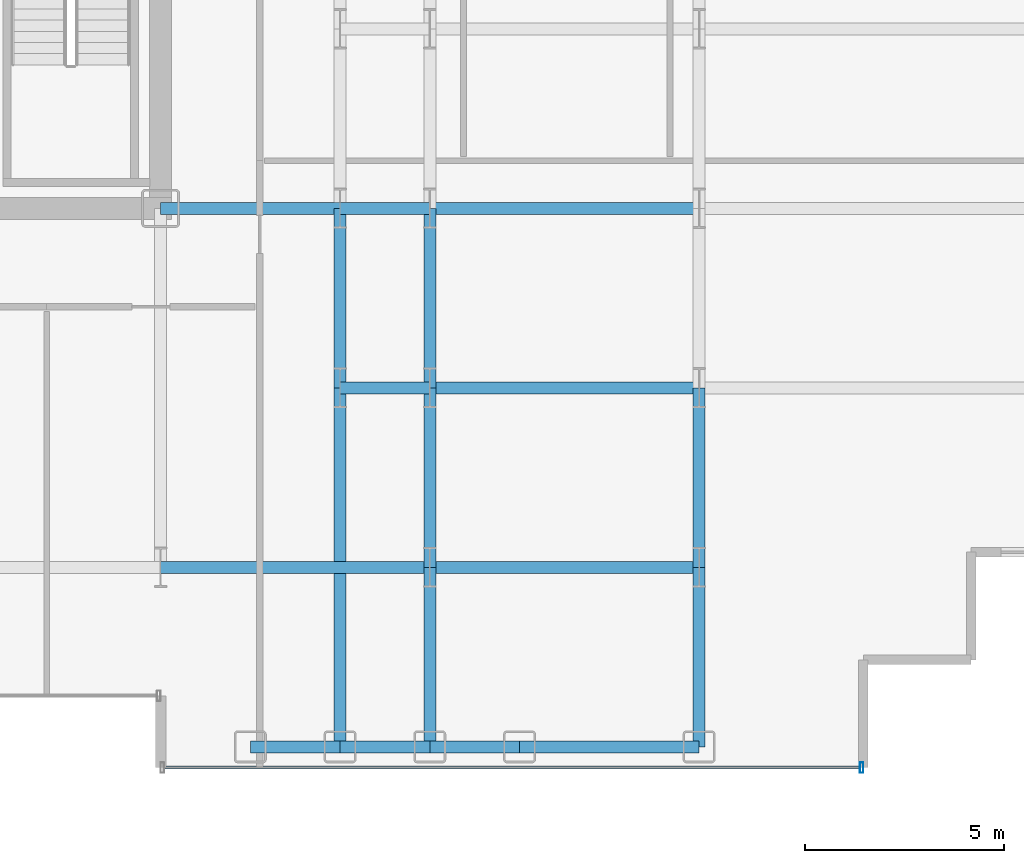
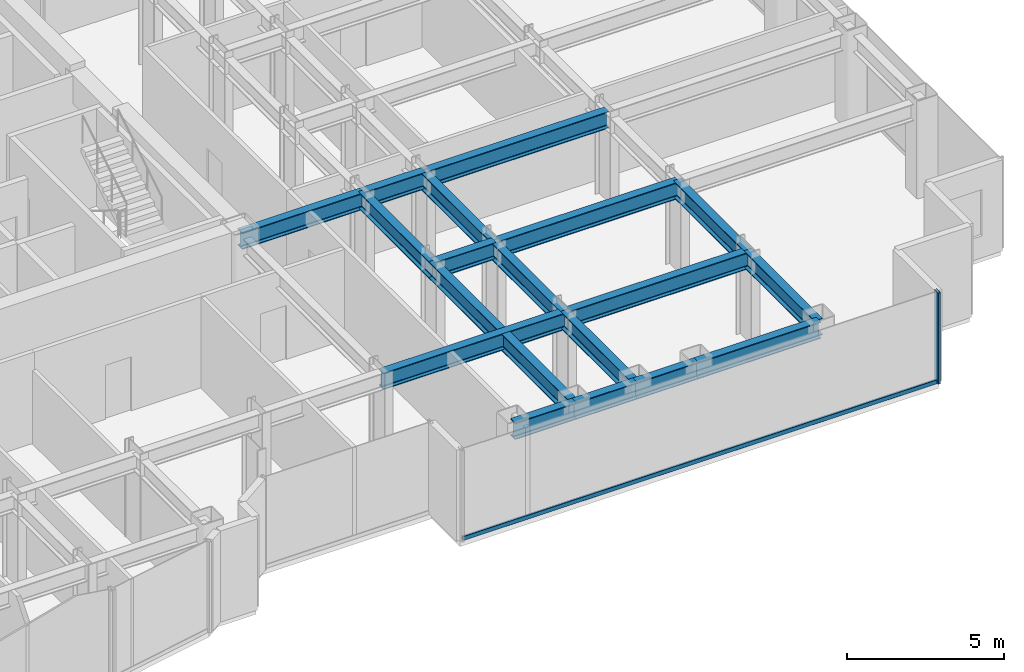
# One storey, part 7 of 26: 18 beams, 2 members, 1 element without a shape of its own.
"""IFC4 building model written with IfcOpenShell, lengths in metres."""

from ifc_helpers import new_model, si_unit, direction, frame, origin, origin_2d, place, context, subcontext, project, spatial, hollow_rectangle, i_section, extrude, source, transform, mapped, material, layer, layer_set, material_profile, profile_set, type_object, element, aggregate, save


model = new_model("IFC4")

# Units and contexts
model_context = context("Model", 3, precision=1e-05, world=origin(), true_north=direction((0.0, 1.0)))
body_context = subcontext(model_context, "Body", "Model", "MODEL_VIEW")
ifc_project = project(units=[si_unit("LENGTHUNIT", "METRE"), si_unit("AREAUNIT", "SQUARE_METRE"), si_unit("VOLUMEUNIT", "CUBIC_METRE"), si_unit("PLANEANGLEUNIT", "RADIAN"), si_unit("MASSUNIT", "GRAM", prefix="KILO")], contexts=[model_context])

# Site, building, storey
site_placement = place(None, origin())
site = spatial("IfcSite", under=ifc_project, at=site_placement, CompositionType="ELEMENT")
building_placement = place(site_placement, origin())
building = spatial("IfcBuilding", under=site, at=building_placement, Name="Nefas-Gora Pilgrimage Tower", CompositionType="ELEMENT")
storey_placement = place(building_placement, frame((0.0, 0.0, 117.39990234375)))
storey = spatial("IfcBuildingStorey", under=building, at=storey_placement, Name="L28", CompositionType="ELEMENT", Elevation=117.39990234375)

# Beams
ifc_material_1 = material(Name="Steel S355", Category="steel")
ifc_material_profile_1 = material_profile(ifc_material_1, i_section(OverallWidth=0.300048828125, OverallDepth=0.64990234375, WebThickness=0.01611328125, FlangeThickness=0.031005859375, FilletRadius=0.027099609375, at=origin_2d()), Name="HEB 650")
ifc_profile_set_1 = profile_set([ifc_material_profile_1], Name="Steel S355")
beam_type_1 = type_object("IfcBeamType", Name="BM-SPN-HEB500", PredefinedType="SPANDREL", material=ifc_profile_set_1)
shared_shape_1 = source(origin(), body_context, "Body", "SweptSolid", [
    extrude(i_section(OverallWidth=0.300048828125, OverallDepth=0.64990234375, WebThickness=0.01611328125, FlangeThickness=0.031005859375, FilletRadius=0.027099609375, at=origin_2d()), origin(), (0.0, 0.0, 1.0), 4.5),
])
beam_1_placement = place(storey_placement, frame((20.25, -22.5, 3.22509765625), z_axis=(1.0, 0.0, 0.0), x_axis=(0.0, 1.0, 0.0)))
element("IfcBeam", 1, at=beam_1_placement, inside=storey, type_object=beam_type_1, Name="L28 SP-02 beam", PredefinedType="SPANDREL", context=body_context, shape_type="MappedRepresentation", body=[
    mapped(shared_shape_1, transform((0.0, 0.0, 0.0), x_axis=(1.0, 0.0, 0.0), y_axis=(0.0, 1.0, 0.0), z_axis=(0.0, 0.0, 1.0), scale=1.0)),
])
ifc_material_profile_2 = material_profile(ifc_material_1, i_section(OverallWidth=0.300048828125, OverallDepth=0.64990234375, WebThickness=0.01611328125, FlangeThickness=0.031005859375, FilletRadius=0.027099609375, at=origin_2d()), Name="HEB 650")
ifc_profile_set_2 = profile_set([ifc_material_profile_2], Name="Steel S355")
beam_type_2 = type_object("IfcBeamType", Name="BM-GIR-HEB650", PredefinedType="BEAM", material=ifc_profile_set_2)
shared_shape_2 = source(origin(), body_context, "Body", "SweptSolid", [
    extrude(i_section(OverallWidth=0.300048828125, OverallDepth=0.64990234375, WebThickness=0.01611328125, FlangeThickness=0.031005859375, FilletRadius=0.027099609375, at=origin_2d()), origin(), (0.0, 0.0, 1.0), 9.0),
])
beam_2_placement = place(storey_placement, frame((15.75, -22.5, 3.22509765625), z_axis=(0.0, 1.0, 0.0), x_axis=(-1.0, 0.0, 0.0)))
element("IfcBeam", 2, at=beam_2_placement, inside=storey, type_object=beam_type_2, Name="L28 G-03 beam", PredefinedType="BEAM", context=body_context, shape_type="MappedRepresentation", body=[
    mapped(shared_shape_2, transform((0.0, 0.0, 0.0), x_axis=(1.0, 0.0, 0.0), y_axis=(0.0, 1.0, 0.0), z_axis=(0.0, 0.0, 1.0), scale=1.0)),
])
shared_shape_3 = source(origin(), body_context, "Body", "SweptSolid", [
    extrude(i_section(OverallWidth=0.300048828125, OverallDepth=0.64990234375, WebThickness=0.01611328125, FlangeThickness=0.031005859375, FilletRadius=0.027099609375, at=origin_2d()), origin(), (0.0, 0.0, 1.0), 4.5),
])
for number, where, z_axis, x_axis, name in (
    (3, (11.25, -9.0, 3.22509765625), (1.0, 0.0, 0.0), (0.0, 1.0, 0.0), "L28 G-03 beam"),
    (4, (15.75, -13.5, 3.22509765625), (0.0, 1.0, 0.0), (-1.0, 0.0, 0.0), "L28 G-03 beam"),
    (5, (18.0, -22.5, 3.22509765625), (0.0, 1.0, 0.0), (-1.0, 0.0, 0.0), "L28 G-03 beam"),
    (6, (18.0, -18.0, 3.22509765625), (0.0, 1.0, 0.0), (-1.0, 0.0, 0.0), "L28 G-03 beam"),
    (7, (18.0, -13.5, 3.22509765625), (0.0, 1.0, 0.0), (-1.0, 0.0, 0.0), "L28 G-03 beam"),
    (8, (24.75, -22.5, 3.22509765625), (0.0, 1.0, 0.0), (-1.0, 0.0, 0.0), "L28 G-03 beam"),
    (9, (24.75, -18.0, 3.22509765625), (0.0, 1.0, 0.0), (-1.0, 0.0, 0.0), "L28 G-03 beam"),
):
    element("IfcBeam", number, at=place(storey_placement, frame(where, z_axis=z_axis, x_axis=x_axis)), inside=storey, type_object=beam_type_2, Name=name, PredefinedType="BEAM", context=body_context, shape_type="MappedRepresentation", body=[
        mapped(shared_shape_3, transform((0.0, 0.0, 0.0), x_axis=(1.0, 0.0, 0.0), y_axis=(0.0, 1.0, 0.0), z_axis=(0.0, 0.0, 1.0), scale=1.0)),
    ])
shared_shape_4 = source(origin(), body_context, "Body", "SweptSolid", [
    extrude(i_section(OverallWidth=0.300048828125, OverallDepth=0.64990234375, WebThickness=0.01611328125, FlangeThickness=0.031005859375, FilletRadius=0.027099609375, at=origin_2d()), origin(), (0.0, 0.0, 1.0), 6.75),
])
for number, where, z_axis, x_axis, name in (
    (10, (11.25, -18.0, 3.22509765625), (1.0, 0.0, 0.0), (0.0, 1.0, 0.0), "L28 G-03 beam"),
    (11, (18.0, -18.0, 3.22509765625), (1.0, 0.0, 0.0), (0.0, 1.0, 0.0), "L28 G-03 beam"),
    (12, (18.0, -13.5, 3.22509765625), (1.0, 0.0, 0.0), (0.0, 1.0, 0.0), "L28 G-03 beam"),
    (13, (18.0, -9.0, 3.22509765625), (1.0, 0.0, 0.0), (0.0, 1.0, 0.0), "L28 G-03 beam"),
):
    element("IfcBeam", number, at=place(storey_placement, frame(where, z_axis=z_axis, x_axis=x_axis)), inside=storey, type_object=beam_type_2, Name=name, PredefinedType="BEAM", context=body_context, shape_type="MappedRepresentation", body=[
        mapped(shared_shape_4, transform((0.0, 0.0, 0.0), x_axis=(1.0, 0.0, 0.0), y_axis=(0.0, 1.0, 0.0), z_axis=(0.0, 0.0, 1.0), scale=1.0)),
    ])
shared_shape_5 = source(origin(), body_context, "Body", "SweptSolid", [
    extrude(i_section(OverallWidth=0.300048828125, OverallDepth=0.64990234375, WebThickness=0.01611328125, FlangeThickness=0.031005859375, FilletRadius=0.027099609375, at=origin_2d()), origin(), (0.0, 0.0, 1.0), 2.25),
])
for number, where, z_axis, x_axis, name in (
    (14, (13.5, -22.5, 3.22509765625), (1.0, 0.0, 0.0), (0.0, 1.0, 0.0), "L28 SP-02 beam"),
    (15, (15.75, -22.5, 3.22509765625), (1.0, 0.0, 0.0), (0.0, 1.0, 0.0), "L28 SP-02 beam"),
    (16, (18.0, -22.5, 3.22509765625), (1.0, 0.0, 0.0), (0.0, 1.0, 0.0), "L28 SP-02 beam"),
):
    element("IfcBeam", number, at=place(storey_placement, frame(where, z_axis=z_axis, x_axis=x_axis)), inside=storey, type_object=beam_type_1, Name=name, PredefinedType="SPANDREL", context=body_context, shape_type="MappedRepresentation", body=[
        mapped(shared_shape_5, transform((0.0, 0.0, 0.0), x_axis=(1.0, 0.0, 0.0), y_axis=(0.0, 1.0, 0.0), z_axis=(0.0, 0.0, 1.0), scale=1.0)),
    ])
shared_shape_6 = source(origin(), body_context, "Body", "SweptSolid", [
    extrude(i_section(OverallWidth=0.300048828125, OverallDepth=0.64990234375, WebThickness=0.01611328125, FlangeThickness=0.031005859375, FilletRadius=0.027099609375, at=origin_2d()), origin(), (0.0, 0.0, 1.0), 2.25),
])
for number, where, z_axis, x_axis, name in (
    (17, (15.75, -13.5, 3.22509765625), (1.0, 0.0, 0.0), (0.0, 1.0, 0.0), "L28 G-03 beam"),
    (18, (15.75, -9.0, 3.22509765625), (1.0, 0.0, 0.0), (0.0, 1.0, 0.0), "L28 G-03 beam"),
):
    element("IfcBeam", number, at=place(storey_placement, frame(where, z_axis=z_axis, x_axis=x_axis)), inside=storey, type_object=beam_type_2, Name=name, PredefinedType="BEAM", context=body_context, shape_type="MappedRepresentation", body=[
        mapped(shared_shape_6, transform((0.0, 0.0, 0.0), x_axis=(1.0, 0.0, 0.0), y_axis=(0.0, 1.0, 0.0), z_axis=(0.0, 0.0, 1.0), scale=1.0)),
    ])

# Curtain wall, members
ifc_material_2 = material(Name="Dark ceramic-fritted solar-control aluminium-glass curtain wall", Category="aluminium")
ifc_layer = layer(ifc_material_2, 0.219970703125)
ifc_layer_set = layer_set([ifc_layer], Name="Dark ceramic-fritted solar-control aluminium-glass curtain wall")
curtain_wall_type = type_object("IfcCurtainWallType", Name="CW-SYS-2", PredefinedType="NOTDEFINED", material=ifc_layer_set)
curtain_wall_placement = place(storey_placement, origin())
curtain_wall = element("IfcCurtainWall", 19, at=curtain_wall_placement, inside=storey, type_object=curtain_wall_type, Name="L28 Unitised Curtain Wall CW2", PredefinedType="NOTDEFINED")
ifc_material_3 = material(Name="Anodised architectural aluminium", Category="aluminium")
ifc_material_profile_3 = material_profile(ifc_material_3, hollow_rectangle(XDim=0.090087890625, YDim=0.260009765625, WallThickness=0.006103515625, InnerFilletRadius=0.006103515625, OuterFilletRadius=0.011962890625, at=origin_2d()), Name="ALU MULLION 90x260")
ifc_profile_set_3 = profile_set([ifc_material_profile_3], Name="Anodised architectural aluminium")
member_type_1 = type_object("IfcMemberType", Name="CWM-MUL-2", PredefinedType="MULLION", material=ifc_profile_set_3)
shared_shape_7 = source(origin(), body_context, "Body", "SweptSolid", [
    extrude(hollow_rectangle(XDim=0.090087890625, YDim=0.260009765625, WallThickness=0.006103515625, InnerFilletRadius=0.006103515625, OuterFilletRadius=0.011962890625, at=origin_2d()), origin(), (0.0, 0.0, 1.0), 3.550048828125),
])
member_1_placement = place(storey_placement, frame((28.824951171875, -23.02001953125, 0.0), z_axis=(0.0, 0.0, 1.0), x_axis=(1.0, 0.0, 0.0)))
member_1 = element("IfcMember", 20, at=member_1_placement, type_object=member_type_1, Name="CW2 Mullion 2", PredefinedType="MULLION", context=body_context, shape_type="MappedRepresentation", body=[
    mapped(shared_shape_7, transform((0.0, 0.0, 0.0), x_axis=(1.0, 0.0, 0.0), y_axis=(0.0, 1.0, 0.0), z_axis=(0.0, 0.0, 1.0), scale=1.0)),
])
ifc_material_profile_4 = material_profile(ifc_material_3, hollow_rectangle(XDim=0.080078125, YDim=0.159912109375, WallThickness=0.00439453125, InnerFilletRadius=0.00439453125, OuterFilletRadius=0.009033203125, at=origin_2d()), Name="ALU TRANSOM 80x160")
ifc_profile_set_4 = profile_set([ifc_material_profile_4], Name="Anodised architectural aluminium")
member_type_2 = type_object("IfcMemberType", Name="CWM-TRN-2", PredefinedType="USERDEFINED", material=ifc_profile_set_4)
shared_shape_8 = source(origin(), body_context, "Body", "SweptSolid", [
    extrude(hollow_rectangle(XDim=0.080078125, YDim=0.159912109375, WallThickness=0.00439453125, InnerFilletRadius=0.00439453125, OuterFilletRadius=0.009033203125, at=origin_2d()), origin(), (0.0, 0.0, 1.0), 17.43994140625),
])
member_2_placement = place(storey_placement, frame((11.340087890625, -23.02001953125, 0.050048828125), z_axis=(1.0, 0.0, 0.0), x_axis=(0.0, 1.0, 0.0)))
member_2 = element("IfcMember", 21, at=member_2_placement, type_object=member_type_2, Name="CW2 Spandrel Transom", ObjectType="TRANSOM", PredefinedType="USERDEFINED", context=body_context, shape_type="MappedRepresentation", body=[
    mapped(shared_shape_8, transform((0.0, 0.0, 0.0), x_axis=(1.0, 0.0, 0.0), y_axis=(0.0, 1.0, 0.0), z_axis=(0.0, 0.0, 1.0), scale=1.0)),
])
aggregate(curtain_wall, [member_1, member_2])

save(model, "model.ifc")
